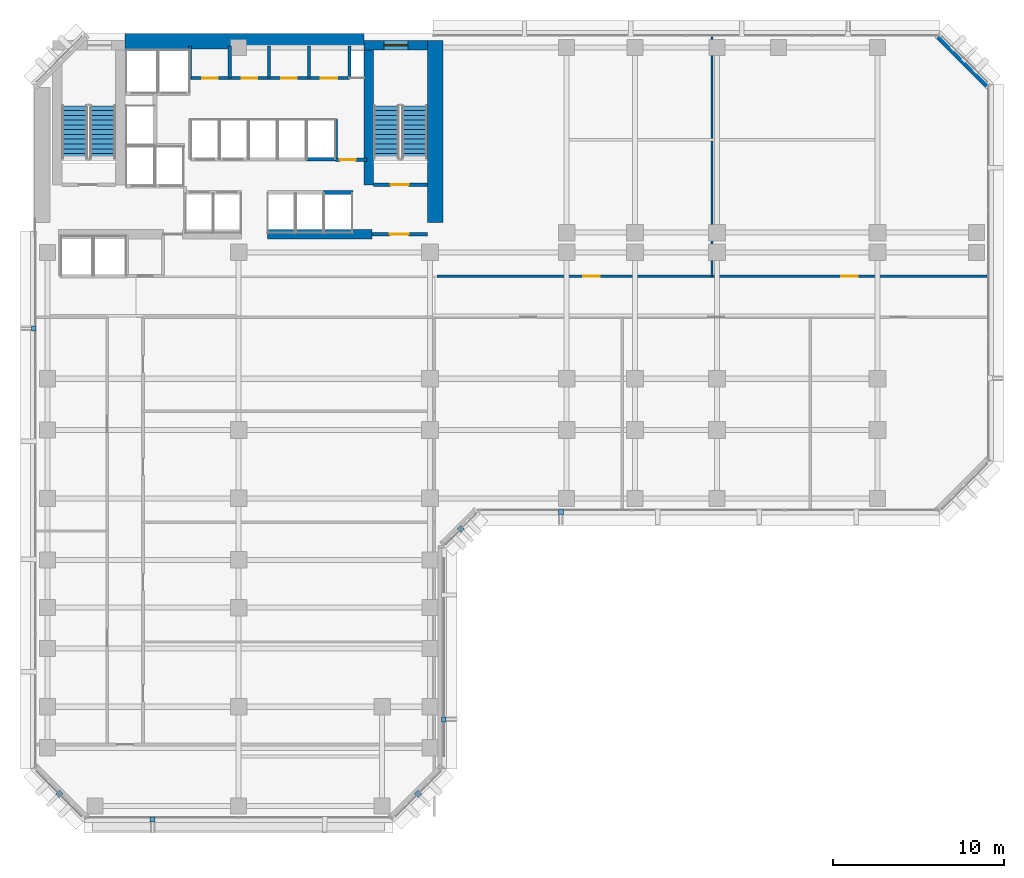
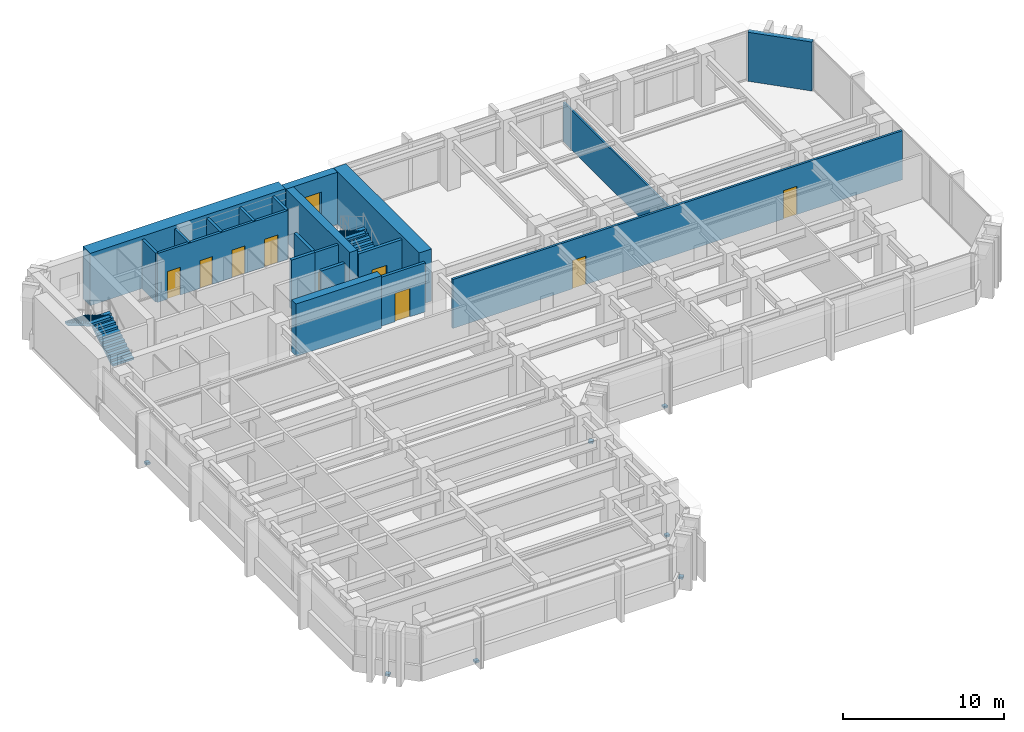
# One storey, part 8 of 14: 20 walls, 9 doors, 7 discrete accessories, 4 stair flights, 1 window, 10 openings, 2 elements without a shape of their own.
"""IFC4 building model written with IfcOpenShell, lengths in metres."""

from ifc_helpers import new_model, si_unit, direction, frame, frame_2d, origin, origin_2d, place, context, subcontext, project, spatial, polyline, rectangle, outline, extrude, material, layer, layer_set, type_object, element, fill, aggregate, save


model = new_model("IFC4")

# Units and contexts
model_context = context("Model", 3, precision=1e-05, world=origin(), true_north=direction((0.0, 1.0)))
body_context = subcontext(model_context, "Body", "Model", "MODEL_VIEW")
ifc_project = project(units=[si_unit("LENGTHUNIT", "METRE"), si_unit("AREAUNIT", "SQUARE_METRE"), si_unit("VOLUMEUNIT", "CUBIC_METRE"), si_unit("PLANEANGLEUNIT", "RADIAN"), si_unit("MASSUNIT", "GRAM", prefix="KILO")], contexts=[model_context])

# Site, building, storey
site_placement = place(None, origin())
site = spatial("IfcSite", under=ifc_project, at=site_placement, CompositionType="ELEMENT")
building_placement = place(site_placement, origin())
building = spatial("IfcBuilding", under=site, at=building_placement, Name="Kefirva Bronze Tower", CompositionType="ELEMENT")
storey_placement = place(building_placement, frame((0.0, 0.0, 34.320068359375)))
storey = spatial("IfcBuildingStorey", under=building, at=storey_placement, Name="L07", CompositionType="ELEMENT", Elevation=34.320068359375)

# Wall
ifc_material_1 = material(Name="Gypsum acoustic partition")
ifc_layer_1 = layer(ifc_material_1, 0.1298828125, Name="Gypsum acoustic partition")
ifc_layer_set_1 = layer_set([ifc_layer_1], Name="Gypsum acoustic partition")
wall_type_1 = type_object("IfcWallType", Name="Acoustic Office Partition 130mm", PredefinedType="PARTITIONING", material=ifc_layer_set_1)
wall_1_placement = place(storey_placement, frame((39.705078125, 31.800048828125, 0.0), z_axis=(0.0, 0.0, 1.0), x_axis=(0.0, 1.0, 0.0)))
element("IfcWall", 1, at=wall_1_placement, inside=storey, type_object=wall_type_1, Name="L07 Partition W-L07-END1", PredefinedType="PARTITIONING", context=body_context, shape_type="SweptSolid", body=[
    extrude(rectangle(XDim=14.010009765625, YDim=0.1298828125, at=frame_2d((7.0048828125, 0.0))), origin(), (0.0, 0.0, 1.0), 2.994873046875),
])

# Wall, opening, door
ifc_material_2 = material(Name="Gypsum fireboard shaftwall")
ifc_layer_2 = layer(ifc_material_2, 0.219970703125, Name="Gypsum fireboard shaftwall")
ifc_layer_set_2 = layer_set([ifc_layer_2], Name="Gypsum fireboard shaftwall")
wall_type_2 = type_object("IfcWallType", Name="Fire-Rated Shaft Enclosure Wall 220mm", PredefinedType="PARTITIONING", material=ifc_layer_set_2)
wall_2_placement = place(storey_placement, frame((19.89990234375, 37.14990234375, 0.0), z_axis=(0.0, 0.0, 1.0), x_axis=(1.0, 0.0, 0.0)))
wall_2 = element("IfcWall", 2, at=wall_2_placement, inside=storey, type_object=wall_type_2, Name="L07 Partition W-L07-ST2S", PredefinedType="PARTITIONING", context=body_context, shape_type="SweptSolid", body=[
    extrude(rectangle(XDim=3.150146484375, YDim=0.219970703125, at=frame_2d((1.5751953125, 0.0))), origin(), (0.0, 0.0, 1.0), 3.7099609375),
])
opening_1_placement = place(wall_2_placement, frame((2.050048828125, 0.0, 0.0), z_axis=(0.0, 0.0, 1.0), x_axis=(-1.0, 0.0, 0.0)))
opening_1 = element("IfcOpeningElement", 3, at=opening_1_placement, cuts=wall_2, Name="Opening L07-D003", PredefinedType="OPENING", context=body_context, shape_type="SweptSolid", body=[
    extrude(rectangle(XDim=1.050048828125, YDim=2.14990234375, at=frame_2d((0.52490234375, 1.074951171875))), frame((0.0, 0.1201171875, 0.0), z_axis=(0.0, -1.0, 0.0), x_axis=(1.0, 0.0, 0.0)), (0.0, 0.0, 1.0), 0.239990234375),
])
ifc_material_3 = material(Name="Painted galvanized steel", Category="steel")
door_type_1 = type_object("IfcDoorType", Name="Fire Stair Enclosure Door 1050x2150 FD90S", OperationType="NOTDEFINED", PredefinedType="DOOR", material=ifc_material_3)
door_1_placement = place(opening_1_placement, origin())
door_1 = element("IfcDoor", 4, at=door_1_placement, inside=storey, type_object=door_type_1, Name="Door L07-D003", OperationType="SINGLE_SWING_LEFT", OverallHeight=2.14990234375, OverallWidth=1.050048828125, PredefinedType="DOOR", context=body_context, shape_type="SweptSolid", body=[
    extrude(rectangle(XDim=1.050048828125, YDim=2.14990234375, at=frame_2d((0.52490234375, 1.074951171875))), frame((0.0, 0.02490234375, 0.0), z_axis=(0.0, -1.0, 0.0), x_axis=(1.0, 0.0, 0.0)), (0.0, 0.0, 1.0), 0.050048828125),
])
fill(opening_1, door_1)

# Walls
wall_3_placement = place(storey_placement, frame((17.679931640625, 38.64990234375, 0.0), z_axis=(0.0, 0.0, 1.0), x_axis=(0.0, 1.0, 0.0)))
element("IfcWall", 5, at=wall_3_placement, inside=storey, type_object=wall_type_2, Name="L07 Partition W-L07-HP2E", PredefinedType="PARTITIONING", context=body_context, shape_type="SweptSolid", body=[
    extrude(rectangle(XDim=2.35009765625, YDim=0.199951171875, at=frame_2d((1.175048828125, 0.0))), origin(), (0.0, 0.0, 1.0), 3.7099609375),
])
wall_4_placement = place(storey_placement, frame((16.97998046875, 36.699951171875, 0.0), z_axis=(0.0, 0.0, 1.0), x_axis=(1.0, 0.0, 0.0)))
element("IfcWall", 6, at=wall_4_placement, inside=storey, type_object=wall_type_2, Name="L07 Partition W-L07-HPS", PredefinedType="PARTITIONING", context=body_context, shape_type="SweptSolid", body=[
    extrude(rectangle(XDim=1.699951171875, YDim=0.219970703125, at=frame_2d((0.85009765625, 0.0))), origin(), (0.0, 0.0, 1.0), 3.7099609375),
])
wall_5_placement = place(storey_placement, frame((15.97998046875, 38.64990234375, 0.0), z_axis=(0.0, 0.0, 1.0), x_axis=(1.0, 0.0, 0.0)))
element("IfcWall", 7, at=wall_5_placement, inside=storey, type_object=wall_type_2, Name="L07 Partition W-L07-HPN", PredefinedType="PARTITIONING", context=body_context, shape_type="SweptSolid", body=[
    extrude(rectangle(XDim=1.719970703125, YDim=0.219970703125, at=frame_2d((0.85986328125, 0.0))), origin(), (0.0, 0.0, 1.0), 3.7099609375),
])

# Wall, opening, door
ifc_material_4 = material(Name="Gypsum fireboard barrier")
ifc_layer_3 = layer(ifc_material_4, 0.199951171875, Name="Gypsum fireboard barrier")
ifc_layer_set_3 = layer_set([ifc_layer_3], Name="Gypsum fireboard barrier")
wall_type_3 = type_object("IfcWallType", Name="Firefighting Lobby Barrier Wall 200mm", PredefinedType="PARTITIONING", material=ifc_layer_set_3)
wall_6_placement = place(storey_placement, frame((19.800048828125, 34.25, 0.0), z_axis=(0.0, 0.0, 1.0), x_axis=(1.0, 0.0, 0.0)))
wall_6 = element("IfcWall", 8, at=wall_6_placement, inside=storey, type_object=wall_type_3, Name="L07 Partition W-L07-ST2F", PredefinedType="PARTITIONING", context=body_context, shape_type="SweptSolid", body=[
    extrude(rectangle(XDim=3.25, YDim=0.199951171875, at=frame_2d((1.625, 0.0))), origin(), (0.0, 0.0, 1.0), 3.7099609375),
])
opening_2_placement = place(wall_6_placement, frame((2.150146484375, 0.0, 0.0), z_axis=(0.0, 0.0, 1.0), x_axis=(-1.0, 0.0, 0.0)))
opening_2 = element("IfcOpeningElement", 9, at=opening_2_placement, cuts=wall_6, Name="Opening L07-D004", PredefinedType="OPENING", context=body_context, shape_type="SweptSolid", body=[
    extrude(rectangle(XDim=1.10009765625, YDim=2.14990234375, at=frame_2d((0.550048828125, 1.074951171875))), frame((0.0, 0.10986328125, 0.0), z_axis=(0.0, -1.0, 0.0), x_axis=(1.0, 0.0, 0.0)), (0.0, 0.0, 1.0), 0.219970703125),
])
door_type_2 = type_object("IfcDoorType", Name="Firefighting Lobby Smoke Door 1100x2150 FD60S", OperationType="NOTDEFINED", PredefinedType="DOOR", material=ifc_material_3)
door_2_placement = place(opening_2_placement, origin())
door_2 = element("IfcDoor", 10, at=door_2_placement, inside=storey, type_object=door_type_2, Name="Door L07-D004", OperationType="SINGLE_SWING_RIGHT", OverallHeight=2.14990234375, OverallWidth=1.10009765625, PredefinedType="DOOR", context=body_context, shape_type="SweptSolid", body=[
    extrude(rectangle(XDim=1.10009765625, YDim=2.14990234375, at=frame_2d((0.550048828125, 1.074951171875))), frame((0.0, 0.02490234375, 0.0), z_axis=(0.0, -1.0, 0.0), x_axis=(1.0, 0.0, 0.0)), (0.0, 0.0, 1.0), 0.050048828125),
])
fill(opening_2, door_2)

wall_7_placement = place(storey_placement, frame((17.679931640625, 38.6201171875, 0.0), z_axis=(0.0, 0.0, 1.0), x_axis=(1.0, 0.0, 0.0)))
wall_7 = element("IfcWall", 11, at=wall_7_placement, inside=storey, type_object=wall_type_3, Name="L07 Partition W-L07-CPASS", PredefinedType="PARTITIONING", context=body_context, shape_type="SweptSolid", body=[
    extrude(rectangle(XDim=1.840087890625, YDim=0.179931640625, at=frame_2d((0.919921875, 0.0))), origin(), (0.0, 0.0, 1.0), 3.7099609375),
])
opening_3_placement = place(wall_7_placement, frame((0.239990234375, 0.0, 0.0)))
opening_3 = element("IfcOpeningElement", 12, at=opening_3_placement, cuts=wall_7, Name="Opening L07-D-CPAS", PredefinedType="OPENING", context=body_context, shape_type="SweptSolid", body=[
    extrude(rectangle(XDim=0.919921875, YDim=2.10009765625, at=frame_2d((0.4599609375, 1.050048828125))), frame((0.0, 0.10009765625, 0.0), z_axis=(0.0, -1.0, 0.0), x_axis=(1.0, 0.0, 0.0)), (0.0, 0.0, 1.0), 0.199951171875),
])
ifc_material_5 = material(Name="Moisture-resistant timber", Category="wood")
door_type_3 = type_object("IfcDoorType", Name="Accessible Sanitary & WC Door 920x2100", OperationType="NOTDEFINED", PredefinedType="DOOR", material=ifc_material_5)
door_3_placement = place(opening_3_placement, origin())
door_3 = element("IfcDoor", 13, at=door_3_placement, inside=storey, type_object=door_type_3, Name="Door L07-D-CPAS", OperationType="SINGLE_SWING_LEFT", OverallHeight=2.10009765625, OverallWidth=0.919921875, PredefinedType="DOOR", context=body_context, shape_type="SweptSolid", body=[
    extrude(rectangle(XDim=0.919921875, YDim=2.10009765625, at=frame_2d((0.4599609375, 1.050048828125))), frame((0.0, 0.02490234375, 0.0), z_axis=(0.0, -1.0, 0.0), x_axis=(1.0, 0.0, 0.0)), (0.0, 0.0, 1.0), 0.050048828125),
])
fill(opening_3, door_3)

# Wall
ifc_material_6 = material(Name="Precast concrete C40/50", Category="concrete")
ifc_layer_4 = layer(ifc_material_6, 0.320068359375, Name="Precast concrete C40/50")
ifc_layer_set_4 = layer_set([ifc_layer_4], Name="Precast concrete C40/50")
wall_type_4 = type_object("IfcWallType", Name="Precast Insulated Exterior Wall 320mm", PredefinedType="SOLIDWALL", material=ifc_layer_set_4)
wall_8_placement = place(storey_placement, frame((55.847900390625, 42.92578125, 0.0), z_axis=(0.0, 0.0, 1.0), x_axis=(-0.707106781187, 0.707106781187, 0.0)))
element("IfcWall", 14, at=wall_8_placement, inside=storey, type_object=wall_type_4, Name="L07 Exterior Facade Wall 5", PredefinedType="SOLIDWALL", context=body_context, shape_type="SweptSolid", body=[
    extrude(rectangle(XDim=4.132568359375, YDim=0.320068359375, at=frame_2d((2.06640625, 0.0))), origin(), (0.0, 0.0, 1.0), 3.7099609375),
])

# Wall, openings, doors
ifc_layer_5 = layer(ifc_material_1, 0.159912109375, Name="Gypsum acoustic partition")
ifc_layer_set_5 = layer_set([ifc_layer_5], Name="Gypsum acoustic partition")
wall_type_5 = type_object("IfcWallType", Name="Protected Corridor Partition 160mm", PredefinedType="PARTITIONING", material=ifc_layer_set_5)
wall_9_placement = place(storey_placement, frame((23.60009765625, 31.800048828125, 0.0), z_axis=(0.0, 0.0, 1.0), x_axis=(1.0, 0.0, 0.0)))
wall_9 = element("IfcWall", 15, at=wall_9_placement, inside=storey, type_object=wall_type_5, Name="L07 Partition W-L07-EWN", PredefinedType="PARTITIONING", context=body_context, shape_type="SweptSolid", body=[
    extrude(rectangle(XDim=32.2099609375, YDim=0.159912109375, at=frame_2d((16.10498046875, 0.0))), origin(), (0.0, 0.0, 1.0), 3.7099609375),
])
opening_4_placement = place(wall_9_placement, frame((8.577392578125, 0.0, 0.0)))
opening_4 = element("IfcOpeningElement", 16, at=opening_4_placement, cuts=wall_9, Name="Opening L07-D-EN1", PredefinedType="OPENING", context=body_context, shape_type="SweptSolid", body=[
    extrude(rectangle(XDim=0.949951171875, YDim=2.14990234375, at=frame_2d((0.47509765625, 1.074951171875))), frame((0.0, 0.08984375, 0.0), z_axis=(0.0, -1.0, 0.0), x_axis=(1.0, 0.0, 0.0)), (0.0, 0.0, 1.0), 0.179931640625),
])
opening_5_placement = place(wall_9_placement, frame((23.6826171875, 0.0, 0.0)))
opening_5 = element("IfcOpeningElement", 17, at=opening_5_placement, cuts=wall_9, Name="Opening L07-D-EN2", PredefinedType="OPENING", context=body_context, shape_type="SweptSolid", body=[
    extrude(rectangle(XDim=0.949951171875, YDim=2.14990234375, at=frame_2d((0.47509765625, 1.074951171875))), frame((0.0, 0.08984375, 0.0), z_axis=(0.0, -1.0, 0.0), x_axis=(1.0, 0.0, 0.0)), (0.0, 0.0, 1.0), 0.179931640625),
])
ifc_material_7 = material(Name="Acoustic hardwood oak", Category="wood")
door_type_4 = type_object("IfcDoorType", Name="Office & Meeting Room Door 950x2150", OperationType="NOTDEFINED", PredefinedType="DOOR", material=ifc_material_7)
door_4_placement = place(opening_4_placement, origin())
door_4 = element("IfcDoor", 18, at=door_4_placement, inside=storey, type_object=door_type_4, Name="Door L07-D-EN1", OperationType="SINGLE_SWING_LEFT", OverallHeight=2.14990234375, OverallWidth=0.949951171875, PredefinedType="DOOR", context=body_context, shape_type="SweptSolid", body=[
    extrude(rectangle(XDim=0.949951171875, YDim=2.14990234375, at=frame_2d((0.47509765625, 1.074951171875))), frame((0.0, 0.02490234375, 0.0), z_axis=(0.0, -1.0, 0.0), x_axis=(1.0, 0.0, 0.0)), (0.0, 0.0, 1.0), 0.050048828125),
])
fill(opening_4, door_4)
door_5_placement = place(opening_5_placement, origin())
door_5 = element("IfcDoor", 19, at=door_5_placement, inside=storey, type_object=door_type_4, Name="Door L07-D-EN2", OperationType="SINGLE_SWING_RIGHT", OverallHeight=2.14990234375, OverallWidth=0.949951171875, PredefinedType="DOOR", context=body_context, shape_type="SweptSolid", body=[
    extrude(rectangle(XDim=0.949951171875, YDim=2.14990234375, at=frame_2d((0.47509765625, 1.074951171875))), frame((0.0, 0.02490234375, 0.0), z_axis=(0.0, -1.0, 0.0), x_axis=(1.0, 0.0, 0.0)), (0.0, 0.0, 1.0), 0.050048828125),
])
fill(opening_5, door_5)

# Wall, opening, window
ifc_material_8 = material(Name="Concrete C50/60", Category="concrete")
ifc_layer_6 = layer(ifc_material_8, 0.550048828125, Name="Concrete C50/60")
ifc_layer_set_6 = layer_set([ifc_layer_6], Name="Concrete C50/60")
wall_type_6 = type_object("IfcWallType", Name="RC Rear Core Exterior Wall 550mm", PredefinedType="SHEAR", material=ifc_layer_set_6)
wall_10_placement = place(storey_placement, frame((19.35009765625, 45.320068359375, 0.0), z_axis=(0.0, 0.0, 1.0), x_axis=(1.0, 0.0, 0.0)))
wall_10 = element("IfcWall", 20, at=wall_10_placement, inside=storey, type_object=wall_type_6, Name="L07 Stair 2 North Shear Wall", PredefinedType="SHEAR", context=body_context, shape_type="SweptSolid", body=[
    extrude(rectangle(XDim=3.68994140625, YDim=0.550048828125, at=frame_2d((1.844970703125, 0.0))), origin(), (0.0, 0.0, 1.0), 3.9599609375),
])
opening_6_placement = place(wall_10_placement, frame((1.14990234375, 0.0, 1.050048828125)))
opening_6 = element("IfcOpeningElement", 21, at=opening_6_placement, cuts=wall_10, Name="Opening WN-03", PredefinedType="OPENING", context=body_context, shape_type="SweptSolid", body=[
    extrude(rectangle(XDim=1.39990234375, YDim=1.800048828125, at=frame_2d((0.699951171875, 0.89990234375))), frame((0.0, 0.28515625, 0.0), z_axis=(0.0, -1.0, 0.0), x_axis=(1.0, 0.0, 0.0)), (0.0, 0.0, 1.0), 0.570068359375),
])
ifc_material_9 = material(Name="Laminated low-E double glazing", Category="glass")
window_type = type_object("IfcWindowType", Name="Rear-Core Stair Daylight Window 1400x1800", PartitioningType="SINGLE_PANEL", PredefinedType="WINDOW", material=ifc_material_9)
window_placement = place(opening_6_placement, origin())
window = element("IfcWindow", 22, at=window_placement, inside=storey, type_object=window_type, Name="L07 Stair 2 Daylight Window", OverallHeight=1.800048828125, OverallWidth=1.39990234375, PartitioningType="SINGLE_PANEL", PredefinedType="WINDOW", context=body_context, shape_type="SweptSolid", body=[
    extrude(rectangle(XDim=1.39990234375, YDim=1.800048828125, at=frame_2d((0.699951171875, 0.89990234375))), frame((0.0, 0.030029296875, 0.0), z_axis=(0.0, -1.0, 0.0), x_axis=(1.0, 0.0, 0.0)), (0.0, 0.0, 1.0), 0.06005859375),
])
fill(opening_6, window)

# Walls
ifc_material_10 = material(Name="Concrete C60/75", Category="concrete")
ifc_layer_7 = layer(ifc_material_10, 0.89990234375, Name="Concrete C60/75")
ifc_layer_set_7 = layer_set([ifc_layer_7], Name="Concrete C60/75")
wall_type_7 = type_object("IfcWallType", Name="RC Rear Core Exterior Wall 900mm", PredefinedType="SHEAR", material=ifc_layer_set_7)
wall_11_placement = place(storey_placement, frame((5.360107421875, 45.550048828125, 0.0), z_axis=(0.0, 0.0, 1.0), x_axis=(1.0, 0.0, 0.0)))
element("IfcWall", 23, at=wall_11_placement, inside=storey, type_object=wall_type_7, Name="L07 Rear Core North Shear Wall", PredefinedType="SHEAR", context=body_context, shape_type="SweptSolid", body=[
    extrude(rectangle(XDim=13.97998046875, YDim=0.89990234375, at=frame_2d((6.989990234375, 0.0))), origin(), (0.0, 0.0, 1.0), 3.9599609375),
])
ifc_layer_8 = layer(ifc_material_8, 0.550048828125, Name="Concrete C50/60")
ifc_layer_set_8 = layer_set([ifc_layer_8], Name="Concrete C50/60")
wall_type_8 = type_object("IfcWallType", Name="RC Rear Core Interior Wall 550mm", PredefinedType="SHEAR", material=ifc_layer_set_8)
wall_12_placement = place(storey_placement, frame((19.6201171875, 37.14990234375, 0.0), z_axis=(0.0, 0.0, 1.0), x_axis=(0.0, 1.0, 0.0)))
element("IfcWall", 24, at=wall_12_placement, inside=storey, type_object=wall_type_8, Name="L07 Stair 2 West Shear Wall", PredefinedType="SHEAR", context=body_context, shape_type="SweptSolid", body=[
    extrude(rectangle(XDim=7.89013671875, YDim=0.550048828125, at=frame_2d((3.945068359375, 0.0))), origin(), (0.0, 0.0, 1.0), 3.9599609375),
])
ifc_layer_9 = layer(ifc_material_10, 0.89990234375, Name="Concrete C60/75")
ifc_layer_set_9 = layer_set([ifc_layer_9], Name="Concrete C60/75")
wall_type_9 = type_object("IfcWallType", Name="RC Rear Core Interior Wall 900mm", PredefinedType="SHEAR", material=ifc_layer_set_9)
wall_13_placement = place(storey_placement, frame((23.5, 34.949951171875, 0.0), z_axis=(0.0, 0.0, 1.0), x_axis=(0.0, 1.0, 0.0)))
element("IfcWall", 25, at=wall_13_placement, inside=storey, type_object=wall_type_9, Name="L07 Rear Core East Shear Wall", PredefinedType="SHEAR", context=body_context, shape_type="SweptSolid", body=[
    extrude(rectangle(XDim=10.64013671875, YDim=0.89990234375, at=frame_2d((5.320068359375, 0.0))), origin(), (0.0, 0.0, 1.0), 3.9599609375),
])
wall_14_placement = place(storey_placement, frame((13.679931640625, 34.25, 0.0), z_axis=(0.0, 0.0, 1.0), x_axis=(1.0, 0.0, 0.0)))
element("IfcWall", 26, at=wall_14_placement, inside=storey, type_object=wall_type_9, Name="L07 Rear Core South-East Shear Wall", PredefinedType="SHEAR", context=body_context, shape_type="SweptSolid", body=[
    extrude(rectangle(XDim=6.1201171875, YDim=0.550048828125, at=frame_2d((3.06005859375, 0.0))), origin(), (0.0, 0.0, 1.0), 3.9599609375),
])

# Wall, openings, doors
ifc_material_11 = material(Name="Moisture-resistant partition")
ifc_layer_10 = layer(ifc_material_11, 0.179931640625, Name="Moisture-resistant partition")
ifc_layer_set_10 = layer_set([ifc_layer_10], Name="Moisture-resistant partition")
wall_type_10 = type_object("IfcWallType", Name="Sanitary Plumbing Chase Wall 180mm", PredefinedType="PLUMBINGWALL", material=ifc_layer_set_10)
wall_15_placement = place(storey_placement, frame((9.14990234375, 43.39990234375, 0.0), z_axis=(0.0, 0.0, 1.0), x_axis=(1.0, 0.0, 0.0)))
wall_15 = element("IfcWall", 27, at=wall_15_placement, inside=storey, type_object=wall_type_10, Name="L07 Partition W-L07-SVCS", PredefinedType="PLUMBINGWALL", context=body_context, shape_type="SweptSolid", body=[
    extrude(rectangle(XDim=9.330078125, YDim=0.179931640625, at=frame_2d((4.6650390625, 0.0))), origin(), (0.0, 0.0, 1.0), 3.7099609375),
])
opening_7_placement = place(wall_15_placement, frame((0.719970703125, 0.0, 0.0)))
opening_7 = element("IfcOpeningElement", 28, at=opening_7_placement, cuts=wall_15, Name="Opening L07-D-CSVC1", PredefinedType="OPENING", context=body_context, shape_type="SweptSolid", body=[
    extrude(rectangle(XDim=0.919921875, YDim=2.10009765625, at=frame_2d((0.4599609375, 1.050048828125))), frame((0.0, 0.10009765625, 0.0), z_axis=(0.0, -1.0, 0.0), x_axis=(1.0, 0.0, 0.0)), (0.0, 0.0, 1.0), 0.199951171875),
])
opening_8_placement = place(wall_15_placement, frame((3.02001953125, 0.0, 0.0)))
opening_8 = element("IfcOpeningElement", 29, at=opening_8_placement, cuts=wall_15, Name="Opening L07-D-CSVC2", PredefinedType="OPENING", context=body_context, shape_type="SweptSolid", body=[
    extrude(rectangle(XDim=0.919921875, YDim=2.10009765625, at=frame_2d((0.4599609375, 1.050048828125))), frame((0.0, 0.10009765625, 0.0), z_axis=(0.0, -1.0, 0.0), x_axis=(1.0, 0.0, 0.0)), (0.0, 0.0, 1.0), 0.199951171875),
])
opening_9_placement = place(wall_15_placement, frame((5.340087890625, 0.0, 0.0)))
opening_9 = element("IfcOpeningElement", 30, at=opening_9_placement, cuts=wall_15, Name="Opening L07-D-CSVC3", PredefinedType="OPENING", context=body_context, shape_type="SweptSolid", body=[
    extrude(rectangle(XDim=0.919921875, YDim=2.10009765625, at=frame_2d((0.4599609375, 1.050048828125))), frame((0.0, 0.10009765625, 0.0), z_axis=(0.0, -1.0, 0.0), x_axis=(1.0, 0.0, 0.0)), (0.0, 0.0, 1.0), 0.199951171875),
])
opening_10_placement = place(wall_15_placement, frame((7.659912109375, 0.0, 0.0)))
opening_10 = element("IfcOpeningElement", 31, at=opening_10_placement, cuts=wall_15, Name="Opening L07-D-CSVC4", PredefinedType="OPENING", context=body_context, shape_type="SweptSolid", body=[
    extrude(rectangle(XDim=0.949951171875, YDim=2.10009765625, at=frame_2d((0.47509765625, 1.050048828125))), frame((0.0, 0.10009765625, 0.0), z_axis=(0.0, -1.0, 0.0), x_axis=(1.0, 0.0, 0.0)), (0.0, 0.0, 1.0), 0.199951171875),
])
door_6_placement = place(opening_7_placement, origin())
door_6 = element("IfcDoor", 32, at=door_6_placement, inside=storey, type_object=door_type_3, Name="Door L07-D-CSVC1", OperationType="SINGLE_SWING_LEFT", OverallHeight=2.10009765625, OverallWidth=0.919921875, PredefinedType="DOOR", context=body_context, shape_type="SweptSolid", body=[
    extrude(rectangle(XDim=0.919921875, YDim=2.10009765625, at=frame_2d((0.4599609375, 1.050048828125))), frame((0.0, 0.02490234375, 0.0), z_axis=(0.0, -1.0, 0.0), x_axis=(1.0, 0.0, 0.0)), (0.0, 0.0, 1.0), 0.050048828125),
])
fill(opening_7, door_6)
door_7_placement = place(opening_8_placement, origin())
door_7 = element("IfcDoor", 33, at=door_7_placement, inside=storey, type_object=door_type_3, Name="Door L07-D-CSVC2", OperationType="SINGLE_SWING_RIGHT", OverallHeight=2.10009765625, OverallWidth=0.919921875, PredefinedType="DOOR", context=body_context, shape_type="SweptSolid", body=[
    extrude(rectangle(XDim=0.919921875, YDim=2.10009765625, at=frame_2d((0.4599609375, 1.050048828125))), frame((0.0, 0.02490234375, 0.0), z_axis=(0.0, -1.0, 0.0), x_axis=(1.0, 0.0, 0.0)), (0.0, 0.0, 1.0), 0.050048828125),
])
fill(opening_8, door_7)
door_8_placement = place(opening_9_placement, origin())
door_8 = element("IfcDoor", 34, at=door_8_placement, inside=storey, type_object=door_type_3, Name="Door L07-D-CSVC3", OperationType="SINGLE_SWING_LEFT", OverallHeight=2.10009765625, OverallWidth=0.919921875, PredefinedType="DOOR", context=body_context, shape_type="SweptSolid", body=[
    extrude(rectangle(XDim=0.919921875, YDim=2.10009765625, at=frame_2d((0.4599609375, 1.050048828125))), frame((0.0, 0.02490234375, 0.0), z_axis=(0.0, -1.0, 0.0), x_axis=(1.0, 0.0, 0.0)), (0.0, 0.0, 1.0), 0.050048828125),
])
fill(opening_9, door_8)
door_type_5 = type_object("IfcDoorType", Name="Riser & Plant Shaft Fire Door 950x2100 FD60S", OperationType="NOTDEFINED", PredefinedType="DOOR", material=ifc_material_3)
door_9_placement = place(opening_10_placement, origin())
door_9 = element("IfcDoor", 35, at=door_9_placement, inside=storey, type_object=door_type_5, Name="Door L07-D-CSVC4", OperationType="SINGLE_SWING_RIGHT", OverallHeight=2.10009765625, OverallWidth=0.949951171875, PredefinedType="DOOR", context=body_context, shape_type="SweptSolid", body=[
    extrude(rectangle(XDim=0.949951171875, YDim=2.10009765625, at=frame_2d((0.47509765625, 1.050048828125))), frame((0.0, 0.02490234375, 0.0), z_axis=(0.0, -1.0, 0.0), x_axis=(1.0, 0.0, 0.0)), (0.0, 0.0, 1.0), 0.050048828125),
])
fill(opening_10, door_9)

# Walls
for number, where, z_axis, x_axis, name in (
    (36, (9.14990234375, 43.39990234375, 0.0), (0.0, 0.0, 1.0), (0.0, 1.0, 0.0), "L07 Partition W-L07-SVCW"),
    (37, (18.47998046875, 43.39990234375, 0.0), (0.0, 0.0, 1.0), (0.0, 1.0, 0.0), "L07 Partition W-L07-SVCE"),
    (38, (11.47998046875, 43.39990234375, 0.0), (0.0, 0.0, 1.0), (0.0, 1.0, 0.0), "L07 Partition W-L07-CSVD-1"),
    (39, (13.780029296875, 43.39990234375, 0.0), (0.0, 0.0, 1.0), (0.0, 1.0, 0.0), "L07 Partition W-L07-CSVD-2"),
    (40, (16.1201171875, 43.39990234375, 0.0), (0.0, 0.0, 1.0), (0.0, 1.0, 0.0), "L07 Partition W-L07-CSVD-3"),
):
    element("IfcWall", number, at=place(storey_placement, frame(where, z_axis=z_axis, x_axis=x_axis)), inside=storey, type_object=wall_type_10, Name=name, PredefinedType="PLUMBINGWALL", context=body_context, shape_type="SweptSolid", body=[
        extrude(rectangle(XDim=1.880126953125, YDim=0.179931640625, at=frame_2d((0.93994140625, 0.0))), origin(), (0.0, 0.0, 1.0), 3.7099609375),
    ])

# Stair, stair flights
ifc_material_12 = material(Name="Concrete C40/50", Category="concrete")
stair_type = type_object("IfcStairType", Name="RC Dogleg Protected Stair 24R", PredefinedType="HALF_TURN_STAIR", material=ifc_material_12)
stair_1_placement = place(storey_placement, origin())
stair_1 = element("IfcStair", 41, at=stair_1_placement, inside=storey, type_object=stair_type, Name="L07 Protected Exit Stair 1", PredefinedType="HALF_TURN_STAIR")
stair_flight_type = type_object("IfcStairFlightType", Name="RC Straight Stair Flight 24R", PredefinedType="STRAIGHT", material=ifc_material_12)
stair_flight_1_placement = place(storey_placement, frame((4.050048828125, 38.699951171875, 0.0), z_axis=(0.0, 0.0, 1.0), x_axis=(0.0, 1.0, 0.0)))
stair_flight_1 = element("IfcStairFlight", 42, at=stair_flight_1_placement, type_object=stair_flight_type, Name="ST-1 flight 1", NumberOfRisers=12, NumberOfTreads=11, PredefinedType="STRAIGHT", RiserHeight=0.165, TreadLength=0.28, context=body_context, shape_type="SweptSolid", body=[
    extrude(outline(polyline([(0.0, 0.0), (0.0, 0.1650390625), (0.280029296875, 0.1650390625), (0.280029296875, 0.330078125), (0.56005859375, 0.330078125), (0.56005859375, 0.4951171875), (0.840087890625, 0.4951171875), (0.840087890625, 0.659912109375), (1.1201171875, 0.659912109375), (1.1201171875, 0.824951171875), (1.39990234375, 0.824951171875), (1.39990234375, 0.989990234375), (1.679931640625, 0.989990234375), (1.679931640625, 1.155029296875), (1.9599609375, 1.155029296875), (1.9599609375, 1.320068359375), (2.239990234375, 1.320068359375), (2.239990234375, 1.485107421875), (2.52001953125, 1.485107421875), (2.52001953125, 1.64990234375), (2.800048828125, 1.64990234375), (2.800048828125, 1.81494140625), (3.080078125, 1.81494140625), (3.080078125, 1.97998046875), (3.080078125, 1.64111328125), (0.295166015625, 0.0), (0.0, 0.0)])), frame((0.0, 0.75, 0.0), z_axis=(0.0, -1.0, 0.0), x_axis=(1.0, 0.0, 0.0)), (0.0, 0.0, 1.0), 1.5),
])
stair_flight_2_placement = place(storey_placement, frame((2.39990234375, 41.780029296875, 1.97998046875), z_axis=(0.0, 0.0, 1.0), x_axis=(0.0, -1.0, 0.0)))
stair_flight_2 = element("IfcStairFlight", 43, at=stair_flight_2_placement, type_object=stair_flight_type, Name="ST-1 flight 2", NumberOfRisers=12, NumberOfTreads=11, PredefinedType="STRAIGHT", RiserHeight=0.165, TreadLength=0.28, context=body_context, shape_type="SweptSolid", body=[
    extrude(outline(polyline([(0.0, 0.0), (0.0, 0.1650390625), (0.280029296875, 0.1650390625), (0.280029296875, 0.330078125), (0.56005859375, 0.330078125), (0.56005859375, 0.4951171875), (0.840087890625, 0.4951171875), (0.840087890625, 0.659912109375), (1.1201171875, 0.659912109375), (1.1201171875, 0.824951171875), (1.39990234375, 0.824951171875), (1.39990234375, 0.989990234375), (1.679931640625, 0.989990234375), (1.679931640625, 1.155029296875), (1.9599609375, 1.155029296875), (1.9599609375, 1.320068359375), (2.239990234375, 1.320068359375), (2.239990234375, 1.485107421875), (2.52001953125, 1.485107421875), (2.52001953125, 1.64990234375), (2.800048828125, 1.64990234375), (2.800048828125, 1.81494140625), (3.080078125, 1.81494140625), (3.080078125, 1.97998046875), (3.080078125, 1.64111328125), (0.295166015625, 0.0), (0.0, 0.0)])), frame((0.0, 0.75, 0.0), z_axis=(0.0, -1.0, 0.0), x_axis=(1.0, 0.0, 0.0)), (0.0, 0.0, 1.0), 1.5),
])
aggregate(stair_1, [stair_flight_1, stair_flight_2])

stair_2_placement = place(storey_placement, origin())
stair_2 = element("IfcStair", 44, at=stair_2_placement, inside=storey, type_object=stair_type, Name="L07 Protected Exit Stair 2", PredefinedType="HALF_TURN_STAIR")
stair_flight_3_placement = place(storey_placement, frame((22.300048828125, 38.699951171875, 0.0), z_axis=(0.0, 0.0, 1.0), x_axis=(0.0, 1.0, 0.0)))
stair_flight_3 = element("IfcStairFlight", 45, at=stair_flight_3_placement, type_object=stair_flight_type, Name="ST-2 flight 1", NumberOfRisers=12, NumberOfTreads=11, PredefinedType="STRAIGHT", RiserHeight=0.165, TreadLength=0.28, context=body_context, shape_type="SweptSolid", body=[
    extrude(outline(polyline([(0.0, 0.0), (0.0, 0.1650390625), (0.280029296875, 0.1650390625), (0.280029296875, 0.330078125), (0.56005859375, 0.330078125), (0.56005859375, 0.4951171875), (0.840087890625, 0.4951171875), (0.840087890625, 0.659912109375), (1.1201171875, 0.659912109375), (1.1201171875, 0.824951171875), (1.39990234375, 0.824951171875), (1.39990234375, 0.989990234375), (1.679931640625, 0.989990234375), (1.679931640625, 1.155029296875), (1.9599609375, 1.155029296875), (1.9599609375, 1.320068359375), (2.239990234375, 1.320068359375), (2.239990234375, 1.485107421875), (2.52001953125, 1.485107421875), (2.52001953125, 1.64990234375), (2.800048828125, 1.64990234375), (2.800048828125, 1.81494140625), (3.080078125, 1.81494140625), (3.080078125, 1.97998046875), (3.080078125, 1.64111328125), (0.295166015625, 0.0), (0.0, 0.0)])), frame((0.0, 0.75, 0.0), z_axis=(0.0, -1.0, 0.0), x_axis=(1.0, 0.0, 0.0)), (0.0, 0.0, 1.0), 1.5),
])
stair_flight_4_placement = place(storey_placement, frame((20.64990234375, 41.780029296875, 1.97998046875), z_axis=(0.0, 0.0, 1.0), x_axis=(0.0, -1.0, 0.0)))
stair_flight_4 = element("IfcStairFlight", 46, at=stair_flight_4_placement, type_object=stair_flight_type, Name="ST-2 flight 2", NumberOfRisers=12, NumberOfTreads=11, PredefinedType="STRAIGHT", RiserHeight=0.165, TreadLength=0.28, context=body_context, shape_type="SweptSolid", body=[
    extrude(outline(polyline([(0.0, 0.0), (0.0, 0.1650390625), (0.280029296875, 0.1650390625), (0.280029296875, 0.330078125), (0.56005859375, 0.330078125), (0.56005859375, 0.4951171875), (0.840087890625, 0.4951171875), (0.840087890625, 0.659912109375), (1.1201171875, 0.659912109375), (1.1201171875, 0.824951171875), (1.39990234375, 0.824951171875), (1.39990234375, 0.989990234375), (1.679931640625, 0.989990234375), (1.679931640625, 1.155029296875), (1.9599609375, 1.155029296875), (1.9599609375, 1.320068359375), (2.239990234375, 1.320068359375), (2.239990234375, 1.485107421875), (2.52001953125, 1.485107421875), (2.52001953125, 1.64990234375), (2.800048828125, 1.64990234375), (2.800048828125, 1.81494140625), (3.080078125, 1.81494140625), (3.080078125, 1.97998046875), (3.080078125, 1.64111328125), (0.295166015625, 0.0), (0.0, 0.0)])), frame((0.0, 0.75, 0.0), z_axis=(0.0, -1.0, 0.0), x_axis=(1.0, 0.0, 0.0)), (0.0, 0.0, 1.0), 1.5),
])
aggregate(stair_2, [stair_flight_3, stair_flight_4])

# Discrete accessories
ifc_material_13 = material(Name="Stainless steel 316", Category="steel")
ifc_layer_11 = layer(ifc_material_13, 0.159912109375, Name="Stainless steel 316")
ifc_layer_set_11 = layer_set([ifc_layer_11], Name="Stainless steel 316")
discrete_accessory_type = type_object("IfcDiscreteAccessoryType", Name="Stainless Facade Outrigger Bracket", PredefinedType="BRACKET", material=ifc_layer_set_11)
discrete_accessory_1_placement = place(storey_placement, frame((6.9599609375, 0.0, -0.16015625), z_axis=(0.0, 0.0, 1.0), x_axis=(1.0, 0.0, 0.0)))
element("IfcDiscreteAccessory", 47, at=discrete_accessory_1_placement, inside=storey, type_object=discrete_accessory_type, Name="L07 Rib Outrigger Bracket 1", PredefinedType="BRACKET", context=body_context, shape_type="SweptSolid", body=[
    extrude(rectangle(XDim=0.280029296875, YDim=0.280029296875, at=origin_2d()), origin(), (0.0, 0.0, 1.0), 0.159912109375),
])
discrete_accessory_2_placement = place(storey_placement, frame((22.5, 1.5, -0.16015625), z_axis=(0.0, 0.0, 1.0), x_axis=(0.707106781187, 0.707106781187, 0.0)))
element("IfcDiscreteAccessory", 48, at=discrete_accessory_2_placement, inside=storey, type_object=discrete_accessory_type, Name="L07 Corner Fin Outrigger Bracket 4", PredefinedType="BRACKET", context=body_context, shape_type="SweptSolid", body=[
    extrude(rectangle(XDim=0.300048828125, YDim=0.300048828125, at=origin_2d()), origin(), (0.0, 0.0, 1.0), 0.159912109375),
])
discrete_accessory_3_placement = place(storey_placement, frame((24.0, 5.860107421875, -0.16015625), z_axis=(0.0, 0.0, 1.0), x_axis=(0.0, 1.0, 0.0)))
element("IfcDiscreteAccessory", 49, at=discrete_accessory_3_placement, inside=storey, type_object=discrete_accessory_type, Name="L07 Rib Outrigger Bracket 5", PredefinedType="BRACKET", context=body_context, shape_type="SweptSolid", body=[
    extrude(rectangle(XDim=0.280029296875, YDim=0.280029296875, at=origin_2d()), origin(), (0.0, 0.0, 1.0), 0.159912109375),
])
discrete_accessory_4_placement = place(storey_placement, frame((25.0, 17.0, -0.16015625), z_axis=(0.0, 0.0, 1.0), x_axis=(0.707106781187, 0.707106781187, 0.0)))
element("IfcDiscreteAccessory", 50, at=discrete_accessory_4_placement, inside=storey, type_object=discrete_accessory_type, Name="L07 Corner Fin Outrigger Bracket 8", PredefinedType="BRACKET", context=body_context, shape_type="SweptSolid", body=[
    extrude(rectangle(XDim=0.300048828125, YDim=0.300048828125, at=origin_2d()), origin(), (0.0, 0.0, 1.0), 0.159912109375),
])
for number, where, z_axis, x_axis, name in (
    (51, (30.860107421875, 18.0, -0.16015625), (0.0, 0.0, 1.0), (1.0, 0.0, 0.0), "L07 Rib Outrigger Bracket 9"),
    (52, (0.0, 28.743896484375, -0.16015625), (0.0, 0.0, 1.0), (0.0, -1.0, 0.0), "L07 Rib Outrigger Bracket 25"),
):
    element("IfcDiscreteAccessory", number, at=place(storey_placement, frame(where, z_axis=z_axis, x_axis=x_axis)), inside=storey, type_object=discrete_accessory_type, Name=name, PredefinedType="BRACKET", context=body_context, shape_type="SweptSolid", body=[
        extrude(rectangle(XDim=0.280029296875, YDim=0.280029296875, at=origin_2d()), origin(), (0.0, 0.0, 1.0), 0.159912109375),
    ])
discrete_accessory_5_placement = place(storey_placement, frame((1.5, 1.5, -0.16015625), z_axis=(0.0, 0.0, 1.0), x_axis=(0.707106781187, -0.707106781187, 0.0)))
element("IfcDiscreteAccessory", 53, at=discrete_accessory_5_placement, inside=storey, type_object=discrete_accessory_type, Name="L07 Corner Fin Outrigger Bracket 30", PredefinedType="BRACKET", context=body_context, shape_type="SweptSolid", body=[
    extrude(rectangle(XDim=0.300048828125, YDim=0.300048828125, at=origin_2d()), origin(), (0.0, 0.0, 1.0), 0.159912109375),
])

save(model, "model.ifc")
